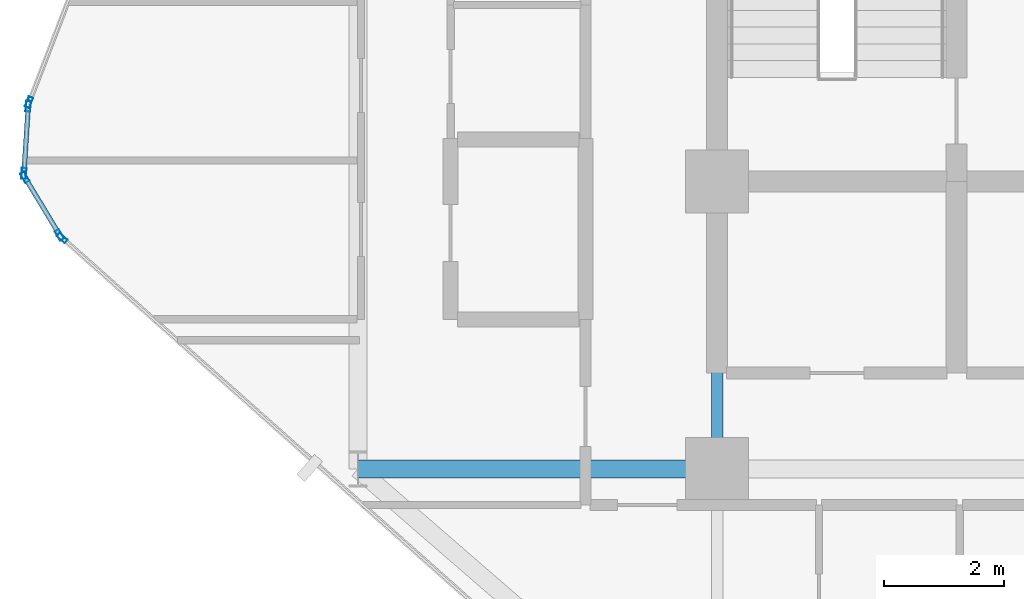
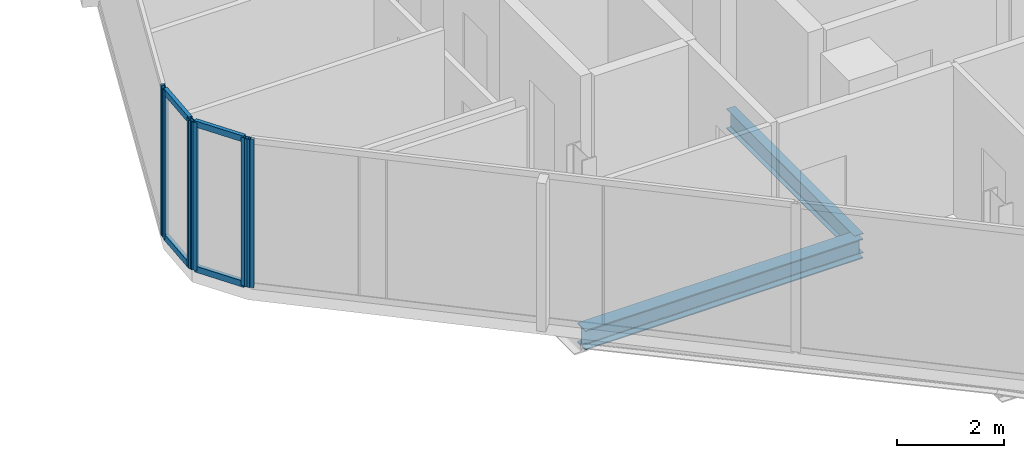
# One storey, part 6 of 30: 10 members, 2 beams, 4 elements without a shape of their own.
"""IFC4 building model written with IfcOpenShell, lengths in metres."""

from ifc_helpers import new_model, si_unit, direction, frame, origin, origin_2d, place, context, subcontext, project, spatial, hollow_rectangle, i_section, extrude, material, layer, layer_set, material_profile, profile_set, type_object, element, aggregate, save


model = new_model("IFC4")

# Units and contexts
model_context = context("Model", 3, precision=1e-05, world=origin(), true_north=direction((0.0, 1.0)))
body_context = subcontext(model_context, "Body", "Model", "MODEL_VIEW")
ifc_project = project(units=[si_unit("LENGTHUNIT", "METRE"), si_unit("AREAUNIT", "SQUARE_METRE"), si_unit("VOLUMEUNIT", "CUBIC_METRE"), si_unit("PLANEANGLEUNIT", "RADIAN"), si_unit("MASSUNIT", "GRAM", prefix="KILO")], contexts=[model_context])

# Site, building, storey
site_placement = place(None, origin())
site = spatial("IfcSite", under=ifc_project, at=site_placement, CompositionType="ELEMENT")
building_placement = place(site_placement, origin())
building = spatial("IfcBuilding", under=site, at=building_placement, Name="Keshet Zoharim Tower", CompositionType="ELEMENT")
storey_placement = place(building_placement, frame((0.0, 0.0, 109.39990234375)))
storey = spatial("IfcBuildingStorey", under=building, at=storey_placement, Name="L26", CompositionType="ELEMENT", Elevation=109.39990234375)

# Beams
ifc_material_1 = material(Name="Steel S355", Category="steel")
ifc_material_profile_1 = material_profile(ifc_material_1, i_section(OverallWidth=0.18994140625, OverallDepth=0.449951171875, WebThickness=0.009521484375, FlangeThickness=0.0146484375, FilletRadius=0.02099609375, at=origin_2d()), Name="IPE450")
ifc_profile_set_1 = profile_set([ifc_material_profile_1], Name="Steel S355")
beam_type_1 = type_object("IfcBeamType", Name="BM-PRI-IP450", PredefinedType="BEAM", material=ifc_profile_set_1)
beam_1_placement = place(storey_placement, frame((15.0, 17.89990234375, -0.539794921875), z_axis=(0.0, 1.0, 0.0), x_axis=(-1.0, 0.0, 0.0)))
element("IfcBeam", 1, at=beam_1_placement, inside=storey, type_object=beam_type_1, Name="L26 Primary Girder Y-003", PredefinedType="BEAM", context=body_context, shape_type="SweptSolid", body=[
    extrude(i_section(OverallWidth=0.18994140625, OverallDepth=0.449951171875, WebThickness=0.009521484375, FlangeThickness=0.0146484375, FilletRadius=0.02099609375, at=origin_2d()), origin(), (0.0, 0.0, 1.0), 4.800048828125),
])
ifc_material_profile_2 = material_profile(ifc_material_1, i_section(OverallWidth=0.300048828125, OverallDepth=0.449951171875, WebThickness=0.013916015625, FlangeThickness=0.02587890625, FilletRadius=0.027099609375, at=origin_2d()), Name="HEB450")
ifc_profile_set_2 = profile_set([ifc_material_profile_2], Name="Steel S355")
beam_type_2 = type_object("IfcBeamType", Name="BM-WEB-HB450", PredefinedType="BEAM", material=ifc_profile_set_2)
beam_2_placement = place(storey_placement, frame((9.0, 17.89990234375, -0.539794921875), z_axis=(1.0, 0.0, 0.0), x_axis=(0.0, 1.0, 0.0)))
element("IfcBeam", 2, at=beam_2_placement, inside=storey, type_object=beam_type_2, Name="L26 Primary Girder X-011", PredefinedType="BEAM", context=body_context, shape_type="SweptSolid", body=[
    extrude(i_section(OverallWidth=0.300048828125, OverallDepth=0.449951171875, WebThickness=0.013916015625, FlangeThickness=0.02587890625, FilletRadius=0.027099609375, at=origin_2d()), origin(), (0.0, 0.0, 1.0), 6.0),
])

# Curtain wall, member
ifc_material_2 = material(Name="Aluminium 6063-T6", Category="aluminium")
ifc_layer = layer(ifc_material_2, 0.159912109375)
ifc_layer_set = layer_set([ifc_layer], Name="Aluminium 6063-T6")
curtain_wall_type = type_object("IfcCurtainWallType", Name="CW-SYS-03", PredefinedType="NOTDEFINED", material=ifc_layer_set)
curtain_wall_1_placement = place(storey_placement, origin())
curtain_wall_1 = element("IfcCurtainWall", 3, at=curtain_wall_1_placement, inside=storey, type_object=curtain_wall_type, Name="L26 Unitised Curtain Wall 07 Part 2", PredefinedType="NOTDEFINED")
ifc_material_profile_3 = material_profile(ifc_material_2, hollow_rectangle(XDim=0.080078125, YDim=0.179931640625, WallThickness=0.00439453125, at=origin_2d()), Name="MUL-80x180")
ifc_profile_set_3 = profile_set([ifc_material_profile_3], Name="Aluminium 6063-T6")
member_type_1 = type_object("IfcMemberType", Name="CWM-M18", PredefinedType="MULLION", material=ifc_profile_set_3)
member_1_placement = place(storey_placement, frame((4.061279296875, 21.7568359375, 0.0), z_axis=(0.0, 0.0, 1.0), x_axis=(-0.664361765187, -0.747411161917, 0.0)))
member_1 = element("IfcMember", 4, at=member_1_placement, type_object=member_type_1, Name="CW-03 mullion 3", PredefinedType="MULLION", context=body_context, shape_type="SweptSolid", body=[
    extrude(hollow_rectangle(XDim=0.080078125, YDim=0.179931640625, WallThickness=0.00439453125, at=origin_2d()), origin(), (0.0, 0.0, 1.0), 3.385009765625),
])
aggregate(curtain_wall_1, [member_1])

# Curtain wall, members
curtain_wall_2_placement = place(storey_placement, origin())
curtain_wall_2 = element("IfcCurtainWall", 5, at=curtain_wall_2_placement, inside=storey, type_object=curtain_wall_type, Name="L26 Unitised Curtain Wall 08", PredefinedType="NOTDEFINED")
member_2_placement = place(storey_placement, frame((4.016845703125, 21.81005859375, 0.0), z_axis=(0.0, 0.0, 1.0), x_axis=(-0.856826433805, -0.515604947933, 0.0)))
member_2 = element("IfcMember", 6, at=member_2_placement, type_object=member_type_1, Name="CW-03 mullion 1", PredefinedType="MULLION", context=body_context, shape_type="SweptSolid", body=[
    extrude(hollow_rectangle(XDim=0.080078125, YDim=0.179931640625, WallThickness=0.00439453125, at=origin_2d()), origin(), (0.0, 0.0, 1.0), 3.385009765625),
])
member_3_placement = place(storey_placement, frame((3.43798828125, 22.77197265625, 0.0), z_axis=(0.0, 0.0, 1.0), x_axis=(-0.856826433805, -0.515604947933, 0.0)))
member_3 = element("IfcMember", 7, at=member_3_placement, type_object=member_type_1, Name="CW-03 mullion 2", PredefinedType="MULLION", context=body_context, shape_type="SweptSolid", body=[
    extrude(hollow_rectangle(XDim=0.080078125, YDim=0.179931640625, WallThickness=0.00439453125, at=origin_2d()), origin(), (0.0, 0.0, 1.0), 3.385009765625),
])

curtain_wall_3_placement = place(storey_placement, origin())
curtain_wall_3 = element("IfcCurtainWall", 8, at=curtain_wall_3_placement, inside=storey, type_object=curtain_wall_type, Name="L26 Unitised Curtain Wall 09", PredefinedType="NOTDEFINED")
member_4_placement = place(storey_placement, frame((3.42236328125, 22.8369140625, 0.0), z_axis=(0.0, 0.0, 1.0), x_axis=(-0.997916617186, 0.064516859374, 0.0)))
member_4 = element("IfcMember", 9, at=member_4_placement, type_object=member_type_1, Name="CW-03 mullion 1", PredefinedType="MULLION", context=body_context, shape_type="SweptSolid", body=[
    extrude(hollow_rectangle(XDim=0.080078125, YDim=0.179931640625, WallThickness=0.00439453125, at=origin_2d()), origin(), (0.0, 0.0, 1.0), 3.385009765625),
])
member_5_placement = place(storey_placement, frame((3.49462890625, 23.9580078125, 0.0), z_axis=(0.0, 0.0, 1.0), x_axis=(-0.997916617186, 0.064516859374, 0.0)))
member_5 = element("IfcMember", 10, at=member_5_placement, type_object=member_type_1, Name="CW-03 mullion 2", PredefinedType="MULLION", context=body_context, shape_type="SweptSolid", body=[
    extrude(hollow_rectangle(XDim=0.080078125, YDim=0.179931640625, WallThickness=0.00439453125, at=origin_2d()), origin(), (0.0, 0.0, 1.0), 3.385009765625),
])

# Curtain wall, member
curtain_wall_4_placement = place(storey_placement, origin())
curtain_wall_4 = element("IfcCurtainWall", 11, at=curtain_wall_4_placement, inside=storey, type_object=curtain_wall_type, Name="L26 Unitised Curtain Wall 10", PredefinedType="NOTDEFINED")
member_6_placement = place(storey_placement, frame((3.509521484375, 24.025634765625, 0.0), z_axis=(0.0, 0.0, 1.0), x_axis=(-0.933341404361, 0.358990003907, 0.0)))
member_6 = element("IfcMember", 12, at=member_6_placement, type_object=member_type_1, Name="CW-03 mullion 1", PredefinedType="MULLION", context=body_context, shape_type="SweptSolid", body=[
    extrude(hollow_rectangle(XDim=0.080078125, YDim=0.179931640625, WallThickness=0.00439453125, at=origin_2d()), origin(), (0.0, 0.0, 1.0), 3.385009765625),
])
aggregate(curtain_wall_4, [member_6])

# Member
ifc_material_profile_4 = material_profile(ifc_material_2, hollow_rectangle(XDim=0.080078125, YDim=0.139892578125, WallThickness=0.00390625, at=origin_2d()), Name="TRN-80x140")
ifc_profile_set_4 = profile_set([ifc_material_profile_4], Name="Aluminium 6063-T6")
member_type_2 = type_object("IfcMemberType", Name="CWT-T14", PredefinedType="USERDEFINED", material=ifc_profile_set_4)
member_7_placement = place(storey_placement, frame((3.9990234375, 21.840087890625, 0.03515625), z_axis=(-0.515791194107, 0.856714330499, 0.0), x_axis=(-0.856714330499, -0.515791194107, 0.0)))
member_7 = element("IfcMember", 13, at=member_7_placement, type_object=member_type_2, Name="CW-03 transom 1.1", ObjectType="TRANSOM", PredefinedType="USERDEFINED", context=body_context, shape_type="SweptSolid", body=[
    extrude(hollow_rectangle(XDim=0.080078125, YDim=0.139892578125, WallThickness=0.00390625, at=origin_2d()), origin(), (0.0, 0.0, 1.0), 1.052734375),
])

member_8_placement = place(storey_placement, frame((3.9990234375, 21.840087890625, 3.35009765625), z_axis=(-0.515791194107, 0.856714330499, 0.0), x_axis=(-0.856714330499, -0.515791194107, 0.0)))
member_8 = element("IfcMember", 14, at=member_8_placement, type_object=member_type_2, Name="CW-03 transom 1.2", ObjectType="TRANSOM", PredefinedType="USERDEFINED", context=body_context, shape_type="SweptSolid", body=[
    extrude(hollow_rectangle(XDim=0.080078125, YDim=0.139892578125, WallThickness=0.00390625, at=origin_2d()), origin(), (0.0, 0.0, 1.0), 1.052734375),
])

aggregate(curtain_wall_2, [member_2, member_3, member_7, member_8])

member_9_placement = place(storey_placement, frame((3.424560546875, 22.871826171875, 0.03515625), z_axis=(0.064426947155, 0.997922426083, 0.0), x_axis=(-0.997922426083, 0.064426947155, 0.0)))
member_9 = element("IfcMember", 15, at=member_9_placement, type_object=member_type_2, Name="CW-03 transom 1.1", ObjectType="TRANSOM", PredefinedType="USERDEFINED", context=body_context, shape_type="SweptSolid", body=[
    extrude(hollow_rectangle(XDim=0.080078125, YDim=0.139892578125, WallThickness=0.00390625, at=origin_2d()), origin(), (0.0, 0.0, 1.0), 1.053466796875),
])

member_10_placement = place(storey_placement, frame((3.424560546875, 22.871826171875, 3.35009765625), z_axis=(0.064426947155, 0.997922426083, 0.0), x_axis=(-0.997922426083, 0.064426947155, 0.0)))
member_10 = element("IfcMember", 16, at=member_10_placement, type_object=member_type_2, Name="CW-03 transom 1.2", ObjectType="TRANSOM", PredefinedType="USERDEFINED", context=body_context, shape_type="SweptSolid", body=[
    extrude(hollow_rectangle(XDim=0.080078125, YDim=0.139892578125, WallThickness=0.00390625, at=origin_2d()), origin(), (0.0, 0.0, 1.0), 1.053466796875),
])

aggregate(curtain_wall_3, [member_4, member_5, member_9, member_10])

save(model, "model.ifc")
